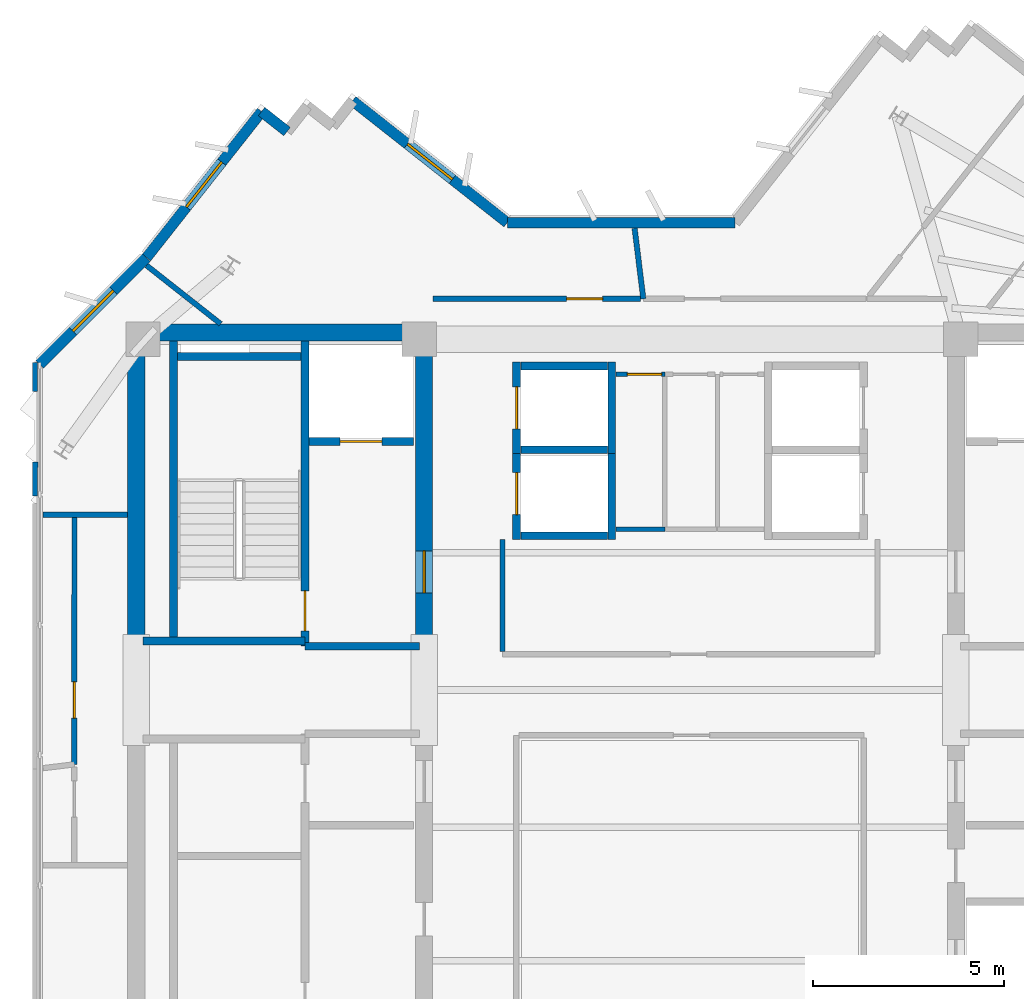
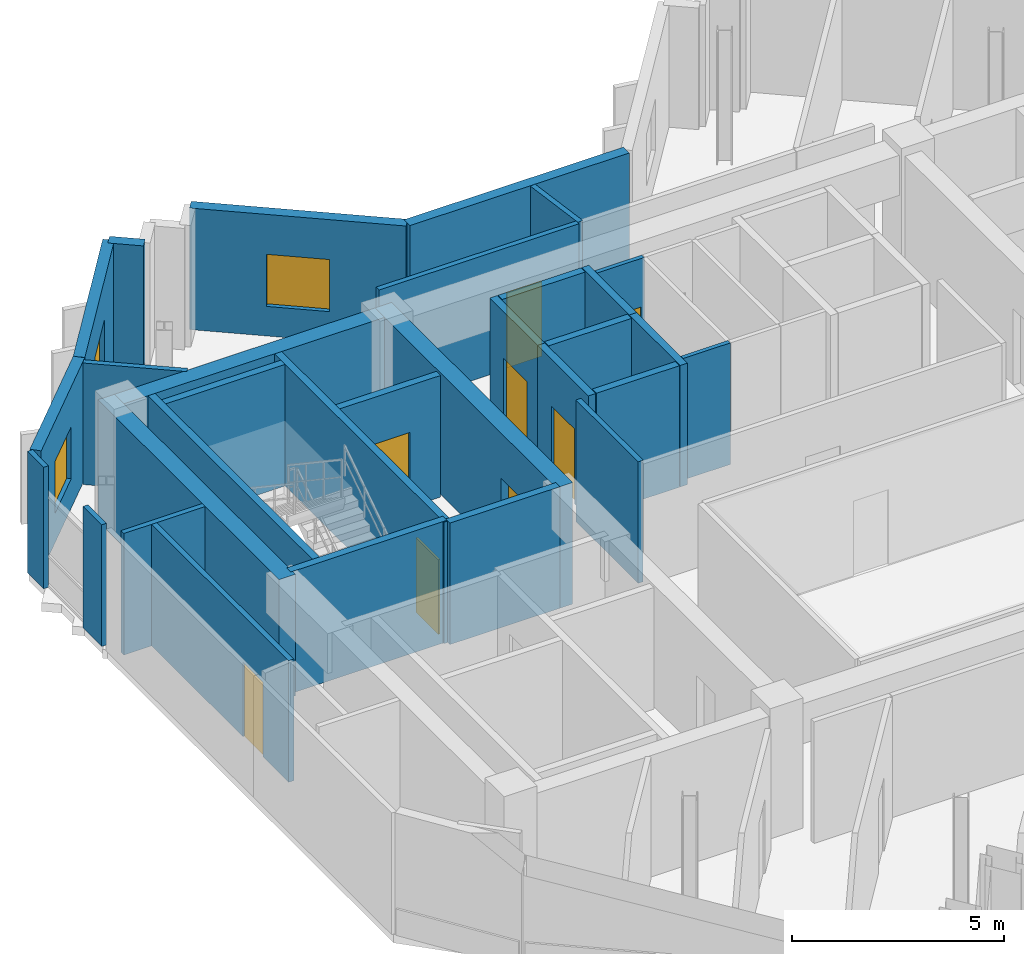
# One storey, part 6 of 10: 31 walls, 8 doors, 3 windows, 11 openings.
"""IFC4 building model written with IfcOpenShell, lengths in metres."""

import ifcopenshell
import ifcopenshell.guid

model = None  # the IFC model being written
_history = None  # IfcOwnerHistory: only IFC2X3 demands one
_inside = {}  # id of a spatial element -> (the spatial element, [elements in it])
_under = {}  # id of a project, library or spatial element -> (it, [spatial elements below it])
_declared = {}  # id of a project -> (the project, [libraries it declares])
_typed = {}  # id of a type object -> (the type object, [elements of that type])
_made_of = {}  # id of a material, layer set ... -> (it, [elements and type objects made of it])


def new_model(schema):
    """Start an empty IFC model of exactly this schema.

    Asked for "IFC4X3", IfcOpenShell would pick the latest addendum, in which some entities
    have other attributes; the version numbers below select the first issue.
    IFC2X3 requires an IfcOwnerHistory on every rooted entity: one is made here for all.
    """
    global model, _history
    if schema == "IFC4X3":
        model = ifcopenshell.file(schema_version=(4, 3, 0, 0))
    else:
        model = ifcopenshell.file(schema=schema)
    _inside.clear()
    _under.clear()
    _declared.clear()
    _typed.clear()
    _made_of.clear()
    _history = None
    if model.schema == "IFC2X3":
        org = make("IfcOrganization", Name="unknown")
        user = make(
            "IfcPersonAndOrganization",
            ThePerson=make("IfcPerson", FamilyName="unknown"),
            TheOrganization=org,
        )
        app = make(
            "IfcApplication",
            ApplicationDeveloper=org,
            Version="unknown",
            ApplicationFullName="unknown",
            ApplicationIdentifier="unknown",
        )
        _history = make(
            "IfcOwnerHistory",
            OwningUser=user,
            OwningApplication=app,
            ChangeAction="ADDED",
            CreationDate=0,
        )
    return model


def make(cls, **values):
    """One entity of the class cls with the attributes given. An attribute that is None is left unset."""
    return model.create_entity(
        cls, **{name: value for name, value in values.items() if value is not None}
    )


def rooted(cls, **values):
    """An entity with a GlobalId (a new one), such as an element, a storey or a relation."""
    return make(cls, GlobalId=ifcopenshell.guid.new(), OwnerHistory=_history, **values)


def si_unit(unit_type, name, prefix=None):
    """IfcSIUnit, for example si_unit("LENGTHUNIT", "METRE", prefix="MILLI")."""
    return make("IfcSIUnit", UnitType=unit_type, Prefix=prefix, Name=name)


def assignment(units):
    """IfcUnitAssignment: the units of a project."""
    return None if units is None else make("IfcUnitAssignment", Units=units)


def point(xyz):
    """IfcCartesianPoint."""
    return None if xyz is None else make("IfcCartesianPoint", Coordinates=xyz)


def direction(xyz):
    """IfcDirection."""
    return None if xyz is None else make("IfcDirection", DirectionRatios=xyz)


def frame(location, z_axis=None, x_axis=None):
    """IfcAxis2Placement3D, a coordinate frame: its origin and axes. An axis left out is left unset."""
    return make(
        "IfcAxis2Placement3D",
        Location=point(location),
        Axis=direction(z_axis),
        RefDirection=direction(x_axis),
    )


def frame_2d(location, x_axis=None):
    """IfcAxis2Placement2D, a coordinate frame in the plane: its origin and x axis."""
    return make(
        "IfcAxis2Placement2D", Location=point(location), RefDirection=direction(x_axis)
    )


def origin():
    """The frame at (0, 0, 0) with its axes left unset."""
    return frame((0.0, 0.0, 0.0))


def place(relative_to, where):
    """IfcLocalPlacement: puts the frame where relative to a parent placement (None: the world)."""
    return make(
        "IfcLocalPlacement", PlacementRelTo=relative_to, RelativePlacement=where
    )


def context(
    kind, dimensions, precision=None, world=None, true_north=None, identifier=None
):
    """IfcGeometricRepresentationContext, for example the 3D "Model" context."""
    return make(
        "IfcGeometricRepresentationContext",
        ContextIdentifier=identifier,
        ContextType=kind,
        CoordinateSpaceDimension=dimensions,
        Precision=precision,
        WorldCoordinateSystem=world,
        TrueNorth=true_north,
    )


def subcontext(parent, identifier, kind, view, scale=None):
    """IfcGeometricRepresentationSubContext, for example "Body" below "Model"."""
    return make(
        "IfcGeometricRepresentationSubContext",
        ContextIdentifier=identifier,
        ContextType=kind,
        ParentContext=parent,
        TargetScale=scale,
        TargetView=view,
    )


def project(units=None, contexts=None):
    """IfcProject with its units and contexts."""
    return rooted(
        "IfcProject",
        Name="project",
        RepresentationContexts=contexts,
        UnitsInContext=assignment(units),
    )


def spatial(cls, under=None, at=None, **own):
    """A site, building, storey or space (cls), placed at a placement, below another one or the project."""
    s = rooted(cls, ObjectPlacement=at, **own)
    if under is not None:
        _under.setdefault(under.id(), (under, []))[1].append(s)
    return s


def profile(cls, at=None, kind="AREA", **sizes):
    """A parametric profile (cls). Its sizes go by their IFC names, for example OverallWidth=200.0."""
    return make(cls, ProfileType=kind, Position=at, **sizes)


def rectangle(**sizes):
    """IfcRectangleProfileDef."""
    return profile("IfcRectangleProfileDef", **sizes)


def extrude(swept, where, along, depth):
    """IfcExtrudedAreaSolid: the profile swept, set in the frame where, extruded along a direction by depth."""
    return make(
        "IfcExtrudedAreaSolid",
        SweptArea=swept,
        Position=where,
        ExtrudedDirection=direction(along),
        Depth=depth,
    )


def shape(context_of_items, identifier, shape_type, items):
    """IfcShapeRepresentation: the items that make up one representation, for example the "Body"."""
    return make(
        "IfcShapeRepresentation",
        ContextOfItems=context_of_items,
        RepresentationIdentifier=identifier,
        RepresentationType=shape_type,
        Items=items,
    )


def source(mapping_origin, context_of_items, identifier, shape_type, items):
    """IfcRepresentationMap: a shape defined once, which mapped items show again and again."""
    return make(
        "IfcRepresentationMap",
        MappingOrigin=mapping_origin,
        MappedRepresentation=shape(context_of_items, identifier, shape_type, items),
    )


def transform(
    local_origin,
    x_axis=None,
    y_axis=None,
    z_axis=None,
    scale=None,
    scale2=None,
    scale3=None,
    uniform=True,
):
    """IfcCartesianTransformationOperator3D, or its non-uniform kind. x_axis, y_axis, z_axis: its Axis1, 2, 3."""
    if uniform:
        return make(
            "IfcCartesianTransformationOperator3D",
            Axis1=direction(x_axis),
            Axis2=direction(y_axis),
            LocalOrigin=point(local_origin),
            Scale=scale,
            Axis3=direction(z_axis),
        )
    return make(
        "IfcCartesianTransformationOperator3DnonUniform",
        Axis1=direction(x_axis),
        Axis2=direction(y_axis),
        LocalOrigin=point(local_origin),
        Scale=scale,
        Axis3=direction(z_axis),
        Scale2=scale2,
        Scale3=scale3,
    )


def mapped(mapping_source, mapping_target):
    """IfcMappedItem: shows the shape of a source again, moved by a transform."""
    return make(
        "IfcMappedItem", MappingSource=mapping_source, MappingTarget=mapping_target
    )


def material(Name=None, Category=None):
    """IfcMaterial."""
    return make("IfcMaterial", Name=Name, Category=Category)


def layer(
    of_material, thickness, ventilated=None, Name=None, Category=None, Priority=None
):
    """IfcMaterialLayer: one layer of a wall or slab, of a material (None: an air gap)."""
    return make(
        "IfcMaterialLayer",
        Material=of_material,
        LayerThickness=thickness,
        IsVentilated=ventilated,
        Name=Name,
        Category=Category,
        Priority=Priority,
    )


def layer_set(layers, Name=None):
    """IfcMaterialLayerSet."""
    return make("IfcMaterialLayerSet", MaterialLayers=layers, LayerSetName=Name)


def made_of(thing, what):
    """Note that an element or type object is made of a material, layer set ...; save() writes the relation."""
    if what is not None:
        _made_of.setdefault(what.id(), (what, []))[1].append(thing)
    return thing


def type_object(cls, material=None, **own):
    """A type object (cls), such as IfcWallType, which elements share."""
    return made_of(rooted(cls, **own), material)


def element(
    cls,
    number,
    at=None,
    inside=None,
    cuts=None,
    type_object=None,
    material=None,
    context=None,
    identifier="Body",
    shape_type=None,
    held_by="IfcProductDefinitionShape",
    body=None,
    shapes=None,
    **own,
):
    """One element of the class cls, such as IfcWall. Its Tag is "e" and its number.

    at: its placement. inside: the storey or other place that contains it. cuts: it is an
    opening in that element (IfcRelVoidsElement). A single representation is given by context,
    identifier, shape_type and body (its items); several are given by shapes. held_by: the class
    of the entity that holds the representations. save() writes the other relations.
    """
    e = rooted(cls, Tag="e%d" % number, ObjectPlacement=at, **own)
    if body is not None:
        shapes = [shape(context, identifier, shape_type, body)]
    if shapes is not None:
        e.Representation = make(held_by, Representations=shapes)
    if inside is not None:
        _inside.setdefault(inside.id(), (inside, []))[1].append(e)
    if cuts is not None:
        rooted(
            "IfcRelVoidsElement", RelatingBuildingElement=cuts, RelatedOpeningElement=e
        )
    if type_object is not None:
        _typed.setdefault(type_object.id(), (type_object, []))[1].append(e)
    return made_of(e, material)


def fill(opening, filler):
    """IfcRelFillsElement: the door or window that sits in an opening."""
    return rooted(
        "IfcRelFillsElement",
        RelatingOpeningElement=opening,
        RelatedBuildingElement=filler,
    )


def aggregate(whole, parts):
    """IfcRelAggregates: a whole, such as a stair, and the parts it consists of."""
    return rooted("IfcRelAggregates", RelatingObject=whole, RelatedObjects=parts)


def save(model, path):
    """Write the relations noted so far, then the file.

    IfcRelAggregates (storeys below a building ...), IfcRelContainedInSpatialStructure (elements
    in a storey), IfcRelDefinesByType, IfcRelAssociatesMaterial and IfcRelDeclares: one each for
    every whole, place, type object, material and project.
    """
    for whole, parts in _under.values():
        aggregate(whole, parts)
    for where, things in _inside.values():
        rooted(
            "IfcRelContainedInSpatialStructure",
            RelatedElements=things,
            RelatingStructure=where,
        )
    for kind, things in _typed.values():
        rooted("IfcRelDefinesByType", RelatedObjects=things, RelatingType=kind)
    for what, things in _made_of.values():
        rooted("IfcRelAssociatesMaterial", RelatedObjects=things, RelatingMaterial=what)
    for by, libraries in _declared.values():
        rooted("IfcRelDeclares", RelatingContext=by, RelatedDefinitions=libraries)
    model.write(path)


model = new_model("IFC4")

# Units and contexts
model_context = context("Model", 3, precision=1e-05, world=origin(), true_north=direction((0.0, 1.0)))
body_context = subcontext(model_context, "Body", "Model", "MODEL_VIEW")
ifc_project = project(units=[si_unit("LENGTHUNIT", "METRE"), si_unit("AREAUNIT", "SQUARE_METRE"), si_unit("VOLUMEUNIT", "CUBIC_METRE"), si_unit("PLANEANGLEUNIT", "RADIAN"), si_unit("MASSUNIT", "GRAM", prefix="KILO")], contexts=[model_context])

# Site, building, storey
site_placement = place(None, origin())
site = spatial("IfcSite", under=ifc_project, at=site_placement, CompositionType="ELEMENT")
building_placement = place(site_placement, origin())
building = spatial("IfcBuilding", under=site, at=building_placement, Name="Zahravan Cultural Tower", CompositionType="ELEMENT")
storey_placement = place(building_placement, frame((0.0, 0.0, 323.550048828125)))
storey = spatial("IfcBuildingStorey", under=building, at=storey_placement, Name="L78", CompositionType="ELEMENT", Elevation=323.550048828125)

# Wall, opening, door
ifc_material_1 = material(Name="Concrete C50/60", Category="concrete")
ifc_layer_1 = layer(ifc_material_1, 0.449951171875)
ifc_layer_set_1 = layer_set([ifc_layer_1], Name="Concrete C50/60")
wall_type_1 = type_object("IfcWallType", Name="CW-SHEAR-450-C50", PredefinedType="SHEAR", material=ifc_layer_set_1)
wall_1_placement = place(storey_placement, frame((29.02490234375, 28.050048828125, 0.0), z_axis=(0.0, 0.0, 1.0), x_axis=(0.0, 1.0, 0.0)))
wall_1 = element("IfcWall", 1, at=wall_1_placement, inside=storey, type_object=wall_type_1, Name="L78 Core Shear Wall CW-W-EN-L78", PredefinedType="SHEAR", context=body_context, shape_type="SweptSolid", body=[
    extrude(rectangle(XDim=8.550048828125, YDim=0.449951171875, at=frame_2d((4.27490234375, 0.0))), origin(), (0.0, 0.0, 1.0), 3.5),
])
opening_1_placement = place(wall_1_placement, frame((1.5, 0.0, 0.0)))
opening_1 = element("IfcOpeningElement", 2, at=opening_1_placement, cuts=wall_1, Name="Opening D-L78-06", PredefinedType="OPENING", context=body_context, shape_type="SweptSolid", body=[
    extrude(rectangle(XDim=1.10009765625, YDim=2.199951171875, at=frame_2d((0.550048828125, 1.10009765625))), frame((0.0, 0.23486328125, 0.0), z_axis=(0.0, -1.0, 0.0), x_axis=(1.0, 0.0, 0.0)), (0.0, 0.0, 1.0), 0.469970703125),
])
ifc_material_2 = material(Name="Steel ASTM A572 Grade 50", Category="steel")
door_type_1 = type_object("IfcDoorType", Name="DR-LOBBY-1100", OperationType="NOTDEFINED", PredefinedType="DOOR", material=ifc_material_2)
shared_shape_1 = source(origin(), body_context, "Body", "SweptSolid", [
    extrude(rectangle(XDim=1.10009765625, YDim=2.199951171875, at=frame_2d((0.550048828125, 1.10009765625))), frame((0.0, 0.02490234375, 0.0), z_axis=(0.0, -1.0, 0.0), x_axis=(1.0, 0.0, 0.0)), (0.0, 0.0, 1.0), 0.050048828125),
])
door_1_placement = place(opening_1_placement, origin())
door_1 = element("IfcDoor", 3, at=door_1_placement, inside=storey, type_object=door_type_1, Name="L78 Door D-L78-06", OperationType="SINGLE_SWING_LEFT", OverallHeight=2.199951171875, OverallWidth=1.10009765625, PredefinedType="DOOR", context=body_context, shape_type="MappedRepresentation", body=[
    mapped(shared_shape_1, transform((0.0, 0.0, 0.0), x_axis=(1.0, 0.0, 0.0), y_axis=(0.0, 1.0, 0.0), z_axis=(0.0, 0.0, 1.0), scale=1.0)),
])
fill(opening_1, door_1)

# Wall, opening, window
ifc_material_3 = material(Name="Precast concrete C40/50", Category="concrete")
ifc_layer_2 = layer(ifc_material_3, 0.280029296875)
ifc_layer_set_2 = layer_set([ifc_layer_2], Name="Precast concrete C40/50")
wall_type_2 = type_object("IfcWallType", Name="EW-TC-280", PredefinedType="SOLIDWALL", material=ifc_layer_set_2)
wall_2_placement = place(storey_placement, frame((18.93994140625, 35.5419921875, 0.0), z_axis=(0.0, 0.0, 1.0), x_axis=(0.707106781187, 0.707106781187, 0.0)))
wall_2 = element("IfcWall", 4, at=wall_2_placement, inside=storey, type_object=wall_type_2, Name="L78 Exterior Masonry Frame Wall 01", PredefinedType="SOLIDWALL", context=body_context, shape_type="SweptSolid", body=[
    extrude(rectangle(XDim=3.96337890625, YDim=0.280029296875, at=frame_2d((1.981689453125, 0.0))), origin(), (0.0, 0.0, 1.0), 3.5),
])
opening_2_placement = place(wall_2_placement, frame((1.23193359375, 0.0, 0.85009765625)))
opening_2 = element("IfcOpeningElement", 5, at=opening_2_placement, cuts=wall_2, Name="Opening WN-03", PredefinedType="OPENING", context=body_context, shape_type="SweptSolid", body=[
    extrude(rectangle(XDim=1.5, YDim=1.5, at=frame_2d((0.75, 0.75))), frame((0.0, 0.14990234375, 0.0), z_axis=(0.0, -1.0, 0.0), x_axis=(1.0, 0.0, 0.0)), (0.0, 0.0, 1.0), 0.300048828125),
])
ifc_material_4 = material(Name="Low-E solar-control double glazing", Category="glass")
window_type = type_object("IfcWindowType", Name="WN-REC-1500X1500", PartitioningType="SINGLE_PANEL", PredefinedType="WINDOW", material=ifc_material_4)
shared_shape_2 = source(origin(), body_context, "Body", "SweptSolid", [
    extrude(rectangle(XDim=1.5, YDim=1.5, at=frame_2d((0.75, 0.75))), frame((0.0, 0.030029296875, 0.0), z_axis=(0.0, -1.0, 0.0), x_axis=(1.0, 0.0, 0.0)), (0.0, 0.0, 1.0), 0.06005859375),
])
window_1_placement = place(opening_2_placement, origin())
window_1 = element("IfcWindow", 6, at=window_1_placement, inside=storey, type_object=window_type, Name="L78 Recessed Solar Window 01", OverallHeight=1.5, OverallWidth=1.5, PartitioningType="SINGLE_PANEL", PredefinedType="WINDOW", context=body_context, shape_type="MappedRepresentation", body=[
    mapped(shared_shape_2, transform((0.0, 0.0, 0.0), x_axis=(1.0, 0.0, 0.0), y_axis=(0.0, 1.0, 0.0), z_axis=(0.0, 0.0, 1.0), scale=1.0)),
])
fill(opening_2, window_1)

wall_3_placement = place(storey_placement, frame((21.742431640625, 38.344482421875, 0.0), z_axis=(0.0, 0.0, 1.0), x_axis=(0.619093990715, 0.785316898239, 0.0)))
wall_3 = element("IfcWall", 7, at=wall_3_placement, inside=storey, type_object=wall_type_2, Name="L78 Exterior Masonry Frame Wall 02", PredefinedType="SOLIDWALL", context=body_context, shape_type="SweptSolid", body=[
    extrude(rectangle(XDim=4.877685546875, YDim=0.280029296875, at=frame_2d((2.43896484375, 0.0))), origin(), (0.0, 0.0, 1.0), 3.5),
])
opening_3_placement = place(wall_3_placement, frame((1.68896484375, 0.0, 0.85009765625)))
opening_3 = element("IfcOpeningElement", 8, at=opening_3_placement, cuts=wall_3, Name="Opening WN-03", PredefinedType="OPENING", context=body_context, shape_type="SweptSolid", body=[
    extrude(rectangle(XDim=1.5, YDim=1.5, at=frame_2d((0.75, 0.75))), frame((0.0, 0.14990234375, 0.0), z_axis=(0.0, -1.0, 0.0), x_axis=(1.0, 0.0, 0.0)), (0.0, 0.0, 1.0), 0.300048828125),
])
window_2_placement = place(opening_3_placement, origin())
window_2 = element("IfcWindow", 9, at=window_2_placement, inside=storey, type_object=window_type, Name="L78 Recessed Solar Window 02", OverallHeight=1.5, OverallWidth=1.5, PartitioningType="SINGLE_PANEL", PredefinedType="WINDOW", context=body_context, shape_type="MappedRepresentation", body=[
    mapped(shared_shape_2, transform((0.0, 0.0, 0.0), x_axis=(1.0, 0.0, 0.0), y_axis=(0.0, 1.0, 0.0), z_axis=(0.0, 0.0, 1.0), scale=1.0)),
])
fill(opening_3, window_2)

wall_4_placement = place(storey_placement, frame((27.14990234375, 42.457763671875, 0.0), z_axis=(0.0, 0.0, 1.0), x_axis=(0.78530363687, -0.61911081231, 0.0)))
wall_4 = element("IfcWall", 10, at=wall_4_placement, inside=storey, type_object=wall_type_2, Name="L78 Exterior Masonry Frame Wall 07", PredefinedType="SOLIDWALL", context=body_context, shape_type="SweptSolid", body=[
    extrude(rectangle(XDim=5.1650390625, YDim=0.280029296875, at=frame_2d((2.58251953125, 0.0))), origin(), (0.0, 0.0, 1.0), 3.5),
])
opening_4_placement = place(wall_4_placement, frame((1.8330078125, 0.0, 0.85009765625)))
opening_4 = element("IfcOpeningElement", 11, at=opening_4_placement, cuts=wall_4, Name="Opening WN-03", PredefinedType="OPENING", context=body_context, shape_type="SweptSolid", body=[
    extrude(rectangle(XDim=1.5, YDim=1.5, at=frame_2d((0.75, 0.75))), frame((0.0, 0.14990234375, 0.0), z_axis=(0.0, -1.0, 0.0), x_axis=(1.0, 0.0, 0.0)), (0.0, 0.0, 1.0), 0.300048828125),
])
window_3_placement = place(opening_4_placement, origin())
window_3 = element("IfcWindow", 12, at=window_3_placement, inside=storey, type_object=window_type, Name="L78 Recessed Solar Window 03", OverallHeight=1.5, OverallWidth=1.5, PartitioningType="SINGLE_PANEL", PredefinedType="WINDOW", context=body_context, shape_type="MappedRepresentation", body=[
    mapped(shared_shape_2, transform((0.0, 0.0, 0.0), x_axis=(1.0, 0.0, 0.0), y_axis=(0.0, 1.0, 0.0), z_axis=(0.0, 0.0, 1.0), scale=1.0)),
])
fill(opening_4, window_3)

# Wall, opening, door
ifc_material_5 = material(Name="Gypsum plasterboard partition")
ifc_layer_3 = layer(ifc_material_5, 0.139892578125)
ifc_layer_set_3 = layer_set([ifc_layer_3], Name="Gypsum plasterboard partition")
wall_type_3 = type_object("IfcWallType", Name="W-PART-140", PredefinedType="PARTITIONING", material=ifc_layer_set_3)
wall_5_placement = place(storey_placement, frame((19.8525390625, 31.522705078125, 0.0), z_axis=(0.0, 0.0, 1.0), x_axis=(-0.000377187662, -0.999999928865, 0.0)))
wall_5 = element("IfcWall", 13, at=wall_5_placement, inside=storey, type_object=wall_type_3, Name="L78 Interior Wall 058", PredefinedType="PARTITIONING", context=body_context, shape_type="SweptSolid", body=[
    extrude(rectangle(XDim=6.47265625, YDim=0.139892578125, at=frame_2d((3.236328125, 0.0))), origin(), (0.0, 0.0, 1.0), 3.5),
])
opening_5_placement = place(wall_5_placement, frame((4.3076171875, 0.0, 0.0)))
opening_5 = element("IfcOpeningElement", 14, at=opening_5_placement, cuts=wall_5, Name="Opening D-L78-20", PredefinedType="OPENING", context=body_context, shape_type="SweptSolid", body=[
    extrude(rectangle(XDim=0.949951171875, YDim=2.14990234375, at=frame_2d((0.47509765625, 1.074951171875))), frame((0.0, 0.079833984375, 0.0), z_axis=(0.0, -1.0, 0.0), x_axis=(1.0, 0.0, 0.0)), (0.0, 0.0, 1.0), 0.159912109375),
])
ifc_material_6 = material(Name="Anodised bronze-aluminium mullion", Category="aluminium")
door_type_2 = type_object("IfcDoorType", Name="DR-ROOM-950", OperationType="NOTDEFINED", PredefinedType="DOOR", material=ifc_material_6)
shared_shape_3 = source(origin(), body_context, "Body", "SweptSolid", [
    extrude(rectangle(XDim=0.949951171875, YDim=2.14990234375, at=frame_2d((0.47509765625, 1.074951171875))), frame((0.0, 0.02490234375, 0.0), z_axis=(0.0, -1.0, 0.0), x_axis=(1.0, 0.0, 0.0)), (0.0, 0.0, 1.0), 0.050048828125),
])
door_2_placement = place(opening_5_placement, origin())
door_2 = element("IfcDoor", 15, at=door_2_placement, inside=storey, type_object=door_type_2, Name="L78 Door D-L78-20", OperationType="SINGLE_SWING_LEFT", OverallHeight=2.14990234375, OverallWidth=0.949951171875, PredefinedType="DOOR", context=body_context, shape_type="MappedRepresentation", body=[
    mapped(shared_shape_3, transform((0.0, 0.0, 0.0), x_axis=(1.0, 0.0, 0.0), y_axis=(0.0, 1.0, 0.0), z_axis=(0.0, 0.0, 1.0), scale=1.0)),
])
fill(opening_5, door_2)

wall_6_placement = place(storey_placement, frame((34.69970703125, 37.260009765625, 0.0), z_axis=(0.0, 0.0, 1.0), x_axis=(-0.999999995981, -8.9657955e-05, 0.0)))
wall_6 = element("IfcWall", 16, at=wall_6_placement, inside=storey, type_object=wall_type_3, Name="L78 Interior Wall 080", PredefinedType="PARTITIONING", context=body_context, shape_type="SweptSolid", body=[
    extrude(rectangle(XDim=5.446044921875, YDim=0.139892578125, at=frame_2d((2.72314453125, 0.0))), origin(), (0.0, 0.0, 1.0), 3.5),
])
opening_6_placement = place(wall_6_placement, frame((0.989013671875, 0.0, 0.0)))
opening_6 = element("IfcOpeningElement", 17, at=opening_6_placement, cuts=wall_6, Name="Opening D-L78-19", PredefinedType="OPENING", context=body_context, shape_type="SweptSolid", body=[
    extrude(rectangle(XDim=0.949951171875, YDim=2.14990234375, at=frame_2d((0.47509765625, 1.074951171875))), frame((0.0, 0.079833984375, 0.0), z_axis=(0.0, -1.0, 0.0), x_axis=(1.0, 0.0, 0.0)), (0.0, 0.0, 1.0), 0.159912109375),
])
door_3_placement = place(opening_6_placement, origin())
door_3 = element("IfcDoor", 18, at=door_3_placement, inside=storey, type_object=door_type_2, Name="L78 Door D-L78-19", OperationType="SINGLE_SWING_RIGHT", OverallHeight=2.14990234375, OverallWidth=0.949951171875, PredefinedType="DOOR", context=body_context, shape_type="MappedRepresentation", body=[
    mapped(shared_shape_3, transform((0.0, 0.0, 0.0), x_axis=(1.0, 0.0, 0.0), y_axis=(0.0, 1.0, 0.0), z_axis=(0.0, 0.0, 1.0), scale=1.0)),
])
fill(opening_6, door_3)

ifc_material_7 = material(Name="Concrete C45/55", Category="concrete")
ifc_layer_4 = layer(ifc_material_7, 0.199951171875)
ifc_layer_set_4 = layer_set([ifc_layer_4], Name="Concrete C45/55")
wall_type_4 = type_object("IfcWallType", Name="W-SHAFT-200", PredefinedType="SOLIDWALL", material=ifc_layer_set_4)
wall_7_placement = place(storey_placement, frame((25.89990234375, 28.14990234375, 0.0), z_axis=(0.0, 0.0, 1.0), x_axis=(0.0, 1.0, 0.0)))
wall_7 = element("IfcWall", 19, at=wall_7_placement, inside=storey, type_object=wall_type_4, Name="L78 Interior Wall 006", PredefinedType="SOLIDWALL", context=body_context, shape_type="SweptSolid", body=[
    extrude(rectangle(XDim=8.0, YDim=0.199951171875, at=frame_2d((4.0, 0.0))), origin(), (0.0, 0.0, 1.0), 3.5),
])
opening_7_placement = place(wall_7_placement, frame((0.39990234375, 0.0, 0.0)))
opening_7 = element("IfcOpeningElement", 20, at=opening_7_placement, cuts=wall_7, Name="Opening D-L78-01", PredefinedType="OPENING", context=body_context, shape_type="SweptSolid", body=[
    extrude(rectangle(XDim=1.050048828125, YDim=2.14990234375, at=frame_2d((0.52490234375, 1.074951171875))), frame((0.0, 0.10986328125, 0.0), z_axis=(0.0, -1.0, 0.0), x_axis=(1.0, 0.0, 0.0)), (0.0, 0.0, 1.0), 0.219970703125),
])
door_type_3 = type_object("IfcDoorType", Name="DR-STAIR-1050", OperationType="NOTDEFINED", PredefinedType="DOOR", material=ifc_material_2)
shared_shape_4 = source(origin(), body_context, "Body", "SweptSolid", [
    extrude(rectangle(XDim=1.050048828125, YDim=2.14990234375, at=frame_2d((0.52490234375, 1.074951171875))), frame((0.0, 0.02490234375, 0.0), z_axis=(0.0, -1.0, 0.0), x_axis=(1.0, 0.0, 0.0)), (0.0, 0.0, 1.0), 0.050048828125),
])
door_4_placement = place(opening_7_placement, origin())
door_4 = element("IfcDoor", 21, at=door_4_placement, inside=storey, type_object=door_type_3, Name="L78 Door D-L78-01", OperationType="SINGLE_SWING_RIGHT", OverallHeight=2.14990234375, OverallWidth=1.050048828125, PredefinedType="DOOR", context=body_context, shape_type="MappedRepresentation", body=[
    mapped(shared_shape_4, transform((0.0, 0.0, 0.0), x_axis=(1.0, 0.0, 0.0), y_axis=(0.0, 1.0, 0.0), z_axis=(0.0, 0.0, 1.0), scale=1.0)),
])
fill(opening_7, door_4)

wall_8_placement = place(storey_placement, frame((26.0, 33.52001953125, 0.0), z_axis=(0.0, 0.0, 1.0), x_axis=(1.0, 0.0, 0.0)))
wall_8 = element("IfcWall", 22, at=wall_8_placement, inside=storey, type_object=wall_type_4, Name="L78 Interior Wall 022", PredefinedType="SOLIDWALL", context=body_context, shape_type="SweptSolid", body=[
    extrude(rectangle(XDim=2.75, YDim=0.199951171875, at=frame_2d((1.375, 0.0))), origin(), (0.0, 0.0, 1.0), 3.5),
])
opening_8_placement = place(wall_8_placement, frame((0.820068359375, 0.0, 0.0)))
opening_8 = element("IfcOpeningElement", 23, at=opening_8_placement, cuts=wall_8, Name="Opening LD-L78-01", PredefinedType="OPENING", context=body_context, shape_type="SweptSolid", body=[
    extrude(rectangle(XDim=1.10009765625, YDim=2.14990234375, at=frame_2d((0.550048828125, 1.074951171875))), frame((0.0, 0.10986328125, 0.0), z_axis=(0.0, -1.0, 0.0), x_axis=(1.0, 0.0, 0.0)), (0.0, 0.0, 1.0), 0.219970703125),
])
door_type_4 = type_object("IfcDoorType", Name="DR-LIFT-1100", OperationType="DOUBLE_DOOR_SLIDING", PredefinedType="DOOR", material=ifc_material_2)
shared_shape_5 = source(origin(), body_context, "Body", "SweptSolid", [
    extrude(rectangle(XDim=1.10009765625, YDim=2.14990234375, at=frame_2d((0.550048828125, 1.074951171875))), frame((0.0, 0.02490234375, 0.0), z_axis=(0.0, -1.0, 0.0), x_axis=(1.0, 0.0, 0.0)), (0.0, 0.0, 1.0), 0.050048828125),
])
door_5_placement = place(opening_8_placement, origin())
door_5 = element("IfcDoor", 24, at=door_5_placement, inside=storey, type_object=door_type_4, Name="L78 Door LD-L78-01", OperationType="DOUBLE_DOOR_SLIDING", OverallHeight=2.14990234375, OverallWidth=1.10009765625, PredefinedType="DOOR", context=body_context, shape_type="MappedRepresentation", body=[
    mapped(shared_shape_5, transform((0.0, 0.0, 0.0), x_axis=(1.0, 0.0, 0.0), y_axis=(0.0, 1.0, 0.0), z_axis=(0.0, 0.0, 1.0), scale=1.0)),
])
fill(opening_8, door_5)

wall_9_placement = place(storey_placement, frame((31.449951171875, 33.199951171875, 0.0), z_axis=(0.0, 0.0, 1.0), x_axis=(0.0, 1.0, 0.0)))
wall_9 = element("IfcWall", 25, at=wall_9_placement, inside=storey, type_object=wall_type_4, Name="L78 Interior Wall 027", PredefinedType="SOLIDWALL", context=body_context, shape_type="SweptSolid", body=[
    extrude(rectangle(XDim=2.400146484375, YDim=0.199951171875, at=frame_2d((1.2001953125, 0.0))), origin(), (0.0, 0.0, 1.0), 3.5),
])
opening_9_placement = place(wall_9_placement, frame((0.64990234375, 0.0, 0.0)))
opening_9 = element("IfcOpeningElement", 26, at=opening_9_placement, cuts=wall_9, Name="Opening LD-L78-04", PredefinedType="OPENING", context=body_context, shape_type="SweptSolid", body=[
    extrude(rectangle(XDim=1.10009765625, YDim=2.14990234375, at=frame_2d((0.550048828125, 1.074951171875))), frame((0.0, 0.10986328125, 0.0), z_axis=(0.0, -1.0, 0.0), x_axis=(1.0, 0.0, 0.0)), (0.0, 0.0, 1.0), 0.219970703125),
])
door_6_placement = place(opening_9_placement, origin())
door_6 = element("IfcDoor", 27, at=door_6_placement, inside=storey, type_object=door_type_4, Name="L78 Door LD-L78-04", OperationType="DOUBLE_DOOR_SLIDING", OverallHeight=2.14990234375, OverallWidth=1.10009765625, PredefinedType="DOOR", context=body_context, shape_type="MappedRepresentation", body=[
    mapped(shared_shape_5, transform((0.0, 0.0, 0.0), x_axis=(1.0, 0.0, 0.0), y_axis=(0.0, 1.0, 0.0), z_axis=(0.0, 0.0, 1.0), scale=1.0)),
])
fill(opening_9, door_6)

wall_10_placement = place(storey_placement, frame((31.449951171875, 30.949951171875, 0.0), z_axis=(0.0, 0.0, 1.0), x_axis=(0.0, 1.0, 0.0)))
wall_10 = element("IfcWall", 28, at=wall_10_placement, inside=storey, type_object=wall_type_4, Name="L78 Interior Wall 031", PredefinedType="SOLIDWALL", context=body_context, shape_type="SweptSolid", body=[
    extrude(rectangle(XDim=2.400146484375, YDim=0.199951171875, at=frame_2d((1.2001953125, 0.0))), origin(), (0.0, 0.0, 1.0), 3.5),
])
opening_10_placement = place(wall_10_placement, frame((0.64990234375, 0.0, 0.0)))
opening_10 = element("IfcOpeningElement", 29, at=opening_10_placement, cuts=wall_10, Name="Opening LD-L78-05", PredefinedType="OPENING", context=body_context, shape_type="SweptSolid", body=[
    extrude(rectangle(XDim=1.10009765625, YDim=2.14990234375, at=frame_2d((0.550048828125, 1.074951171875))), frame((0.0, 0.10986328125, 0.0), z_axis=(0.0, -1.0, 0.0), x_axis=(1.0, 0.0, 0.0)), (0.0, 0.0, 1.0), 0.219970703125),
])
door_7_placement = place(opening_10_placement, origin())
door_7 = element("IfcDoor", 30, at=door_7_placement, inside=storey, type_object=door_type_4, Name="L78 Door LD-L78-05", OperationType="DOUBLE_DOOR_SLIDING", OverallHeight=2.14990234375, OverallWidth=1.10009765625, PredefinedType="DOOR", context=body_context, shape_type="MappedRepresentation", body=[
    mapped(shared_shape_5, transform((0.0, 0.0, 0.0), x_axis=(1.0, 0.0, 0.0), y_axis=(0.0, 1.0, 0.0), z_axis=(0.0, 0.0, 1.0), scale=1.0)),
])
fill(opening_10, door_7)

ifc_layer_5 = layer(ifc_material_5, 0.114990234375)
ifc_layer_set_5 = layer_set([ifc_layer_5], Name="Gypsum plasterboard partition")
wall_type_5 = type_object("IfcWallType", Name="W-WC-115", PredefinedType="PARTITIONING", material=ifc_layer_set_5)
wall_11_placement = place(storey_placement, frame((34.054931640625, 35.280029296875, 0.0), z_axis=(0.0, 0.0, 1.0), x_axis=(1.0, 0.0, 0.0)))
wall_11 = element("IfcWall", 31, at=wall_11_placement, inside=storey, type_object=wall_type_5, Name="L78 Interior Wall 045", PredefinedType="PARTITIONING", context=body_context, shape_type="SweptSolid", body=[
    extrude(rectangle(XDim=1.28515625, YDim=0.114990234375, at=frame_2d((0.642578125, 0.0))), origin(), (0.0, 0.0, 1.0), 3.5),
])
opening_11_placement = place(wall_11_placement, frame((0.30029296875, 0.0, 0.0)))
opening_11 = element("IfcOpeningElement", 32, at=opening_11_placement, cuts=wall_11, Name="Opening D-L78-13", PredefinedType="OPENING", context=body_context, shape_type="SweptSolid", body=[
    extrude(rectangle(XDim=0.89990234375, YDim=2.10009765625, at=frame_2d((0.449951171875, 1.050048828125))), frame((0.0, 0.0673828125, 0.0), z_axis=(0.0, -1.0, 0.0), x_axis=(1.0, 0.0, 0.0)), (0.0, 0.0, 1.0), 0.135009765625),
])
door_type_5 = type_object("IfcDoorType", Name="DR-WC-900", OperationType="NOTDEFINED", PredefinedType="DOOR", material=ifc_material_6)
shared_shape_6 = source(origin(), body_context, "Body", "SweptSolid", [
    extrude(rectangle(XDim=0.89990234375, YDim=2.10009765625, at=frame_2d((0.449951171875, 1.050048828125))), frame((0.0, 0.02490234375, 0.0), z_axis=(0.0, -1.0, 0.0), x_axis=(1.0, 0.0, 0.0)), (0.0, 0.0, 1.0), 0.050048828125),
])
door_8_placement = place(opening_11_placement, origin())
door_8 = element("IfcDoor", 33, at=door_8_placement, inside=storey, type_object=door_type_5, Name="L78 Door D-L78-13", OperationType="SINGLE_SWING_RIGHT", OverallHeight=2.10009765625, OverallWidth=0.89990234375, PredefinedType="DOOR", context=body_context, shape_type="MappedRepresentation", body=[
    mapped(shared_shape_6, transform((0.0, 0.0, 0.0), x_axis=(1.0, 0.0, 0.0), y_axis=(0.0, 1.0, 0.0), z_axis=(0.0, 0.0, 1.0), scale=1.0)),
])
fill(opening_11, door_8)

# Walls
shared_shape_7 = source(origin(), body_context, "Body", "SweptSolid", [
    extrude(rectangle(XDim=8.550048828125, YDim=0.449951171875, at=frame_2d((4.27490234375, 0.0))), origin(), (0.0, 0.0, 1.0), 3.5),
])
wall_12_placement = place(storey_placement, frame((21.47509765625, 28.050048828125, 0.0), z_axis=(0.0, 0.0, 1.0), x_axis=(0.0, 1.0, 0.0)))
element("IfcWall", 34, at=wall_12_placement, inside=storey, type_object=wall_type_1, Name="L78 Core Shear Wall CW-W-WN-L78", PredefinedType="SHEAR", context=body_context, shape_type="MappedRepresentation", body=[
    mapped(shared_shape_7, transform((0.0, 0.0, 0.0), x_axis=(1.0, 0.0, 0.0), y_axis=(0.0, 1.0, 0.0), z_axis=(0.0, 0.0, 1.0), scale=1.0)),
])
shared_shape_8 = source(origin(), body_context, "Body", "SweptSolid", [
    extrude(rectangle(XDim=7.10009765625, YDim=0.449951171875, at=frame_2d((3.550048828125, 0.0))), origin(), (0.0, 0.0, 1.0), 3.5),
])
wall_13_placement = place(storey_placement, frame((21.699951171875, 36.375, 0.0), z_axis=(0.0, 0.0, 1.0), x_axis=(1.0, 0.0, 0.0)))
element("IfcWall", 35, at=wall_13_placement, inside=storey, type_object=wall_type_1, Name="L78 Core Shear Wall CW-W-N-L78", PredefinedType="SHEAR", context=body_context, shape_type="MappedRepresentation", body=[
    mapped(shared_shape_8, transform((0.0, 0.0, 0.0), x_axis=(1.0, 0.0, 0.0), y_axis=(0.0, 1.0, 0.0), z_axis=(0.0, 0.0, 1.0), scale=1.0)),
])
shared_shape_9 = source(origin(), body_context, "Body", "SweptSolid", [
    extrude(rectangle(XDim=0.849853515625, YDim=0.280029296875, at=frame_2d((0.4248046875, 0.0))), origin(), (0.0, 0.0, 1.0), 3.5),
])
wall_14_placement = place(storey_placement, frame((24.76220703125, 42.175048828125, 0.0), z_axis=(0.0, 0.0, 1.0), x_axis=(0.785360476625, -0.619038707801, 0.0)))
element("IfcWall", 36, at=wall_14_placement, inside=storey, type_object=wall_type_2, Name="L78 Exterior Masonry Frame Wall 03", PredefinedType="SOLIDWALL", context=body_context, shape_type="MappedRepresentation", body=[
    mapped(shared_shape_9, transform((0.0, 0.0, 0.0), x_axis=(1.0, 0.0, 0.0), y_axis=(0.0, 1.0, 0.0), z_axis=(0.0, 0.0, 1.0), scale=1.0)),
])
shared_shape_10 = source(origin(), body_context, "Body", "SweptSolid", [
    extrude(rectangle(XDim=5.978271484375, YDim=0.280029296875, at=frame_2d((2.9892578125, 0.0))), origin(), (0.0, 0.0, 1.0), 3.5),
])
wall_15_placement = place(storey_placement, frame((31.2060546875, 39.260009765625, 0.0), z_axis=(0.0, 0.0, 1.0), x_axis=(1.0, 0.0, 0.0)))
element("IfcWall", 37, at=wall_15_placement, inside=storey, type_object=wall_type_2, Name="L78 Exterior Masonry Frame Wall 08", PredefinedType="SOLIDWALL", context=body_context, shape_type="MappedRepresentation", body=[
    mapped(shared_shape_10, transform((0.0, 0.0, 0.0), x_axis=(1.0, 0.0, 0.0), y_axis=(0.0, 1.0, 0.0), z_axis=(0.0, 0.0, 1.0), scale=1.0)),
])
shared_shape_11 = source(origin(), body_context, "Body", "SweptSolid", [
    extrude(rectangle(XDim=7.869873046875, YDim=0.199951171875, at=frame_2d((3.93505859375, 0.0))), origin(), (0.0, 0.0, 1.0), 3.5),
])
wall_16_placement = place(storey_placement, frame((22.449951171875, 28.280029296875, 0.0), z_axis=(0.0, 0.0, 1.0), x_axis=(0.0, 1.0, 0.0)))
element("IfcWall", 38, at=wall_16_placement, inside=storey, type_object=wall_type_4, Name="L78 Interior Wall 002", PredefinedType="SOLIDWALL", context=body_context, shape_type="MappedRepresentation", body=[
    mapped(shared_shape_11, transform((0.0, 0.0, 0.0), x_axis=(1.0, 0.0, 0.0), y_axis=(0.0, 1.0, 0.0), z_axis=(0.0, 0.0, 1.0), scale=1.0)),
])
shared_shape_12 = source(origin(), body_context, "Body", "SweptSolid", [
    extrude(rectangle(XDim=4.25, YDim=0.199951171875, at=frame_2d((2.125, 0.0))), origin(), (0.0, 0.0, 1.0), 3.5),
])
wall_17_placement = place(storey_placement, frame((21.64990234375, 28.284912109375, 0.0), z_axis=(0.0, 0.0, 1.0), x_axis=(1.0, 0.0, 0.0)))
element("IfcWall", 39, at=wall_17_placement, inside=storey, type_object=wall_type_4, Name="L78 Interior Wall 011", PredefinedType="SOLIDWALL", context=body_context, shape_type="MappedRepresentation", body=[
    mapped(shared_shape_12, transform((0.0, 0.0, 0.0), x_axis=(1.0, 0.0, 0.0), y_axis=(0.0, 1.0, 0.0), z_axis=(0.0, 0.0, 1.0), scale=1.0)),
])
shared_shape_13 = source(origin(), body_context, "Body", "SweptSolid", [
    extrude(rectangle(XDim=3.0, YDim=0.199951171875, at=frame_2d((1.5, 0.0))), origin(), (0.0, 0.0, 1.0), 3.5),
])
wall_18_placement = place(storey_placement, frame((25.89990234375, 28.14990234375, 0.0), z_axis=(0.0, 0.0, 1.0), x_axis=(1.0, 0.0, 0.0)))
element("IfcWall", 40, at=wall_18_placement, inside=storey, type_object=wall_type_4, Name="L78 Interior Wall 012", PredefinedType="SOLIDWALL", context=body_context, shape_type="MappedRepresentation", body=[
    mapped(shared_shape_13, transform((0.0, 0.0, 0.0), x_axis=(1.0, 0.0, 0.0), y_axis=(0.0, 1.0, 0.0), z_axis=(0.0, 0.0, 1.0), scale=1.0)),
])
shared_shape_14 = source(origin(), body_context, "Body", "SweptSolid", [
    extrude(rectangle(XDim=3.25, YDim=0.199951171875, at=frame_2d((1.625, 0.0))), origin(), (0.0, 0.0, 1.0), 3.5),
])
wall_19_placement = place(storey_placement, frame((22.550048828125, 35.75, 0.0), z_axis=(0.0, 0.0, 1.0), x_axis=(1.0, 0.0, 0.0)))
element("IfcWall", 41, at=wall_19_placement, inside=storey, type_object=wall_type_4, Name="L78 Interior Wall 017", PredefinedType="SOLIDWALL", context=body_context, shape_type="MappedRepresentation", body=[
    mapped(shared_shape_14, transform((0.0, 0.0, 0.0), x_axis=(1.0, 0.0, 0.0), y_axis=(0.0, 1.0, 0.0), z_axis=(0.0, 0.0, 1.0), scale=1.0)),
])
shared_shape_15 = source(origin(), body_context, "Body", "SweptSolid", [
    extrude(rectangle(XDim=2.400146484375, YDim=0.199951171875, at=frame_2d((1.2001953125, 0.0))), origin(), (0.0, 0.0, 1.0), 3.5),
])
for number, where, z_axis, x_axis, name in (
    (42, (33.949951171875, 33.199951171875, 0.0), (0.0, 0.0, 1.0), (0.0, 1.0, 0.0), "L78 Interior Wall 028"),
    (43, (33.949951171875, 30.949951171875, 0.0), (0.0, 0.0, 1.0), (0.0, 1.0, 0.0), "L78 Interior Wall 032"),
):
    element("IfcWall", number, at=place(storey_placement, frame(where, z_axis=z_axis, x_axis=x_axis)), inside=storey, type_object=wall_type_4, Name=name, PredefinedType="SOLIDWALL", context=body_context, shape_type="MappedRepresentation", body=[
        mapped(shared_shape_15, transform((0.0, 0.0, 0.0), x_axis=(1.0, 0.0, 0.0), y_axis=(0.0, 1.0, 0.0), z_axis=(0.0, 0.0, 1.0), scale=1.0)),
    ])
shared_shape_16 = source(origin(), body_context, "Body", "SweptSolid", [
    extrude(rectangle(XDim=2.260009765625, YDim=0.199951171875, at=frame_2d((1.1298828125, 0.0))), origin(), (0.0, 0.0, 1.0), 3.5),
])
for number, where, z_axis, x_axis, name in (
    (44, (31.570068359375, 33.300048828125, 0.0), (0.0, 0.0, 1.0), (1.0, 0.0, 0.0), "L78 Interior Wall 029"),
    (45, (31.570068359375, 35.5, 0.0), (0.0, 0.0, 1.0), (1.0, 0.0, 0.0), "L78 Interior Wall 030"),
    (46, (31.570068359375, 31.050048828125, 0.0), (0.0, 0.0, 1.0), (1.0, 0.0, 0.0), "L78 Interior Wall 033"),
):
    element("IfcWall", number, at=place(storey_placement, frame(where, z_axis=z_axis, x_axis=x_axis)), inside=storey, type_object=wall_type_4, Name=name, PredefinedType="SOLIDWALL", context=body_context, shape_type="MappedRepresentation", body=[
        mapped(shared_shape_16, transform((0.0, 0.0, 0.0), x_axis=(1.0, 0.0, 0.0), y_axis=(0.0, 1.0, 0.0), z_axis=(0.0, 0.0, 1.0), scale=1.0)),
    ])
shared_shape_17 = source(origin(), body_context, "Body", "SweptSolid", [
    extrude(rectangle(XDim=1.28515625, YDim=0.114990234375, at=frame_2d((0.642578125, 0.0))), origin(), (0.0, 0.0, 1.0), 3.5),
])
wall_20_placement = place(storey_placement, frame((35.340087890625, 31.219970703125, 0.0), z_axis=(0.0, 0.0, 1.0), x_axis=(-1.0, 0.0, 0.0)))
element("IfcWall", 47, at=wall_20_placement, inside=storey, type_object=wall_type_5, Name="L78 Interior Wall 044", PredefinedType="PARTITIONING", context=body_context, shape_type="MappedRepresentation", body=[
    mapped(shared_shape_17, transform((0.0, 0.0, 0.0), x_axis=(1.0, 0.0, 0.0), y_axis=(0.0, 1.0, 0.0), z_axis=(0.0, 0.0, 1.0), scale=1.0)),
])
shared_shape_18 = source(origin(), body_context, "Body", "SweptSolid", [
    extrude(rectangle(XDim=2.93505859375, YDim=0.139892578125, at=frame_2d((1.467529296875, 0.0))), origin(), (0.0, 0.0, 1.0), 3.5),
])
wall_21_placement = place(storey_placement, frame((31.080078125, 28.014892578125, 0.0), z_axis=(0.0, 0.0, 1.0), x_axis=(0.0, 1.0, 0.0)))
element("IfcWall", 48, at=wall_21_placement, inside=storey, type_object=wall_type_3, Name="L78 Interior Wall 075", PredefinedType="PARTITIONING", context=body_context, shape_type="MappedRepresentation", body=[
    mapped(shared_shape_18, transform((0.0, 0.0, 0.0), x_axis=(1.0, 0.0, 0.0), y_axis=(0.0, 1.0, 0.0), z_axis=(0.0, 0.0, 1.0), scale=1.0)),
])
shared_shape_19 = source(origin(), body_context, "Body", "SweptSolid", [
    extrude(rectangle(XDim=2.215087890625, YDim=0.139892578125, at=frame_2d((1.107421875, 0.0))), origin(), (0.0, 0.0, 1.0), 3.5),
])
wall_22_placement = place(storey_placement, frame((21.2451171875, 31.599853515625, 0.0), z_axis=(0.0, 0.0, 1.0), x_axis=(-0.999998633374, -0.001653254657, 0.0)))
element("IfcWall", 49, at=wall_22_placement, inside=storey, type_object=wall_type_3, Name="L78 Interior Wall 057", PredefinedType="PARTITIONING", context=body_context, shape_type="MappedRepresentation", body=[
    mapped(shared_shape_19, transform((0.0, 0.0, 0.0), x_axis=(1.0, 0.0, 0.0), y_axis=(0.0, 1.0, 0.0), z_axis=(0.0, 0.0, 1.0), scale=1.0)),
])
shared_shape_20 = source(origin(), body_context, "Body", "SweptSolid", [
    extrude(rectangle(XDim=0.882080078125, YDim=0.139892578125, at=frame_2d((0.44091796875, 0.0))), origin(), (0.0, 0.0, 1.0), 3.5),
])
wall_23_placement = place(storey_placement, frame((18.819580078125, 32.0947265625, 0.0), z_axis=(0.0, 0.0, 1.0), x_axis=(0.000553556516, 0.999999846788, 0.0)))
element("IfcWall", 50, at=wall_23_placement, inside=storey, type_object=wall_type_3, Name="L78 Interior Wall 061", PredefinedType="PARTITIONING", context=body_context, shape_type="MappedRepresentation", body=[
    mapped(shared_shape_20, transform((0.0, 0.0, 0.0), x_axis=(1.0, 0.0, 0.0), y_axis=(0.0, 1.0, 0.0), z_axis=(0.0, 0.0, 1.0), scale=1.0)),
])
shared_shape_21 = source(origin(), body_context, "Body", "SweptSolid", [
    extrude(rectangle(XDim=0.76171875, YDim=0.139892578125, at=frame_2d((0.380859375, 0.0))), origin(), (0.0, 0.0, 1.0), 3.5),
])
wall_24_placement = place(storey_placement, frame((18.81689453125, 34.830078125, 0.0), z_axis=(0.0, 0.0, 1.0), x_axis=(0.004166630498, 0.999991319557, 0.0)))
element("IfcWall", 51, at=wall_24_placement, inside=storey, type_object=wall_type_3, Name="L78 Interior Wall 062", PredefinedType="PARTITIONING", context=body_context, shape_type="MappedRepresentation", body=[
    mapped(shared_shape_21, transform((0.0, 0.0, 0.0), x_axis=(1.0, 0.0, 0.0), y_axis=(0.0, 1.0, 0.0), z_axis=(0.0, 0.0, 1.0), scale=1.0)),
])
shared_shape_22 = source(origin(), body_context, "Body", "SweptSolid", [
    extrude(rectangle(XDim=2.47705078125, YDim=0.139892578125, at=frame_2d((1.238525390625, 0.0))), origin(), (0.0, 0.0, 1.0), 3.5),
])
wall_25_placement = place(storey_placement, frame((21.74169921875, 38.138427734375, 0.0), z_axis=(0.0, 0.0, 1.0), x_axis=(0.785339198937, -0.619065701371, 0.0)))
element("IfcWall", 52, at=wall_25_placement, inside=storey, type_object=wall_type_3, Name="L78 Interior Wall 063", PredefinedType="PARTITIONING", context=body_context, shape_type="MappedRepresentation", body=[
    mapped(shared_shape_22, transform((0.0, 0.0, 0.0), x_axis=(1.0, 0.0, 0.0), y_axis=(0.0, 1.0, 0.0), z_axis=(0.0, 0.0, 1.0), scale=1.0)),
])
shared_shape_23 = source(origin(), body_context, "Body", "SweptSolid", [
    extrude(rectangle(XDim=1.86865234375, YDim=0.139892578125, at=frame_2d((0.934326171875, 0.0))), origin(), (0.0, 0.0, 1.0), 3.5),
])
wall_26_placement = place(storey_placement, frame((34.775390625, 37.26025390625, 0.0), z_axis=(0.0, 0.0, 1.0), x_axis=(-0.122153221409, 0.992511254596, 0.0)))
element("IfcWall", 53, at=wall_26_placement, inside=storey, type_object=wall_type_3, Name="L78 Interior Wall 077", PredefinedType="PARTITIONING", context=body_context, shape_type="MappedRepresentation", body=[
    mapped(shared_shape_23, transform((0.0, 0.0, 0.0), x_axis=(1.0, 0.0, 0.0), y_axis=(0.0, 1.0, 0.0), z_axis=(0.0, 0.0, 1.0), scale=1.0)),
])

save(model, "model.ifc")
